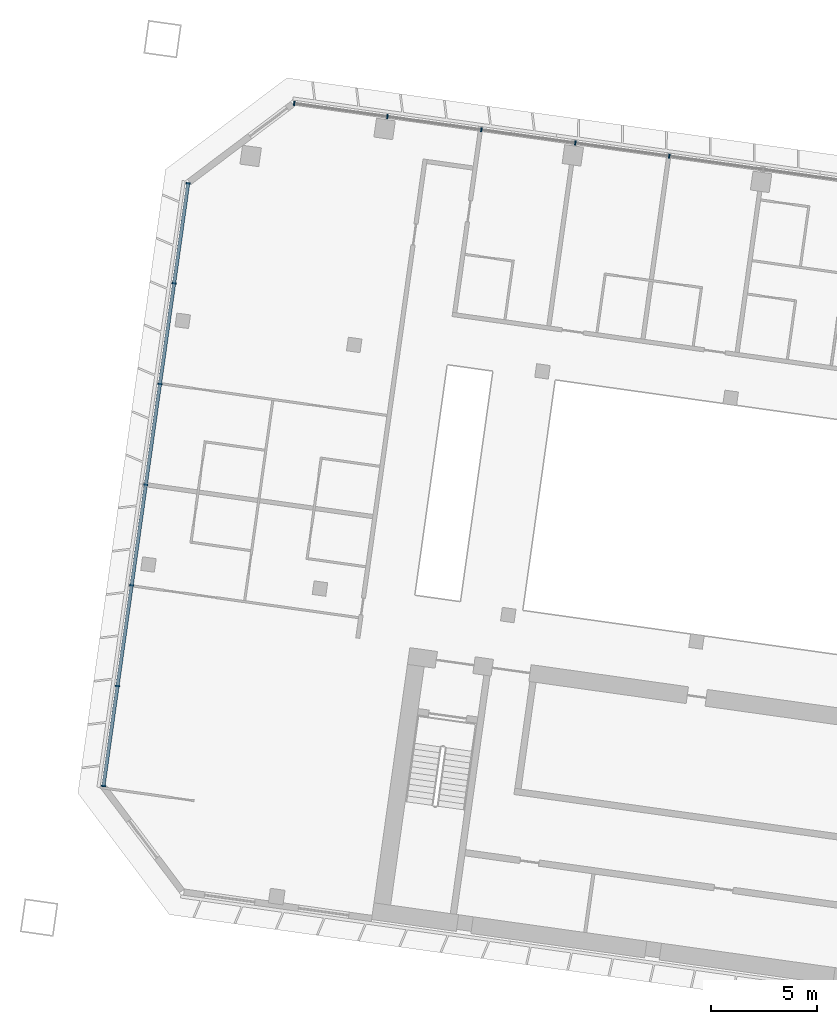
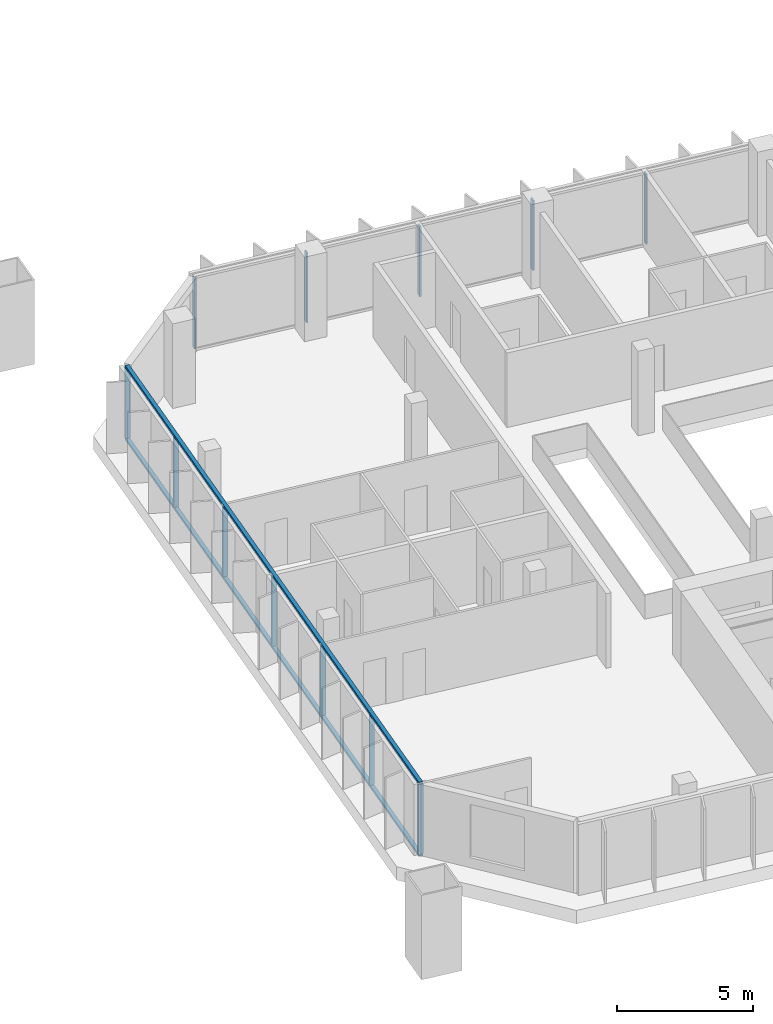
# One storey, part 2 of 25: 14 members, 2 elements without a shape of their own.
"""IFC4 building model written with IfcOpenShell, lengths in metres."""

from ifc_helpers import new_model, si_unit, direction, frame, origin, origin_2d, place, context, subcontext, project, spatial, rectangle, extrude, material, material_profile, profile_set, type_object, element, aggregate, save


model = new_model("IFC4")

# Units and contexts
model_context = context("Model", 3, precision=1e-05, world=origin(), true_north=direction((0.0, 1.0)))
body_context = subcontext(model_context, "Body", "Model", "MODEL_VIEW")
ifc_project = project(units=[si_unit("LENGTHUNIT", "METRE"), si_unit("AREAUNIT", "SQUARE_METRE"), si_unit("VOLUMEUNIT", "CUBIC_METRE"), si_unit("PLANEANGLEUNIT", "RADIAN"), si_unit("MASSUNIT", "GRAM", prefix="KILO")], contexts=[model_context])

# Site, building, storey
site_placement = place(None, origin())
site = spatial("IfcSite", under=ifc_project, at=site_placement, CompositionType="ELEMENT")
building_placement = place(site_placement, origin())
building = spatial("IfcBuilding", under=site, at=building_placement, Name="Mirante Cascada Hotel Towers", CompositionType="ELEMENT")
storey_placement = place(building_placement, frame((0.0, 0.0, 102.5)))
storey = spatial("IfcBuildingStorey", under=building, at=storey_placement, Name="L22", CompositionType="ELEMENT", Elevation=102.5)

# Curtain wall, members
ifc_material_1 = material(Name="Aluminium mullion and transom frame with clear laminated glass", Category="aluminium")
curtain_wall_type_1 = type_object("IfcCurtainWallType", Name="Ribbon curtain wall ECW1", PredefinedType="NOTDEFINED", material=ifc_material_1)
curtain_wall_1_placement = place(storey_placement, origin())
curtain_wall_1 = element("IfcCurtainWall", 1, at=curtain_wall_1_placement, inside=storey, type_object=curtain_wall_type_1, Name="Front ribbon wall T1 L22", PredefinedType="NOTDEFINED")
ifc_material_2 = material(Name="Anodised aluminium extrusion", Category="aluminium")
ifc_material_profile_1 = material_profile(ifc_material_2, rectangle(XDim=0.2, YDim=0.065, at=origin_2d()), Name="ECW1 MULLION 65x200")
ifc_profile_set_1 = profile_set([ifc_material_profile_1], Name="Anodised aluminium extrusion")
member_type_1 = type_object("IfcMemberType", Name="ECW1 mullion 65x200", PredefinedType="MULLION", material=ifc_profile_set_1)
member_1_placement = place(storey_placement, frame((-94.126, 26.0476, 0.1), z_axis=(0.0, 0.0, 1.0), x_axis=(0.1391731, 0.9902681, 0.0)))
member_1 = element("IfcMember", 2, at=member_1_placement, type_object=member_type_1, Name="ECW1 mullion 1", PredefinedType="MULLION", context=body_context, shape_type="SweptSolid", body=[
    extrude(rectangle(XDim=0.2, YDim=0.065, at=origin_2d()), origin(), (0.0, 0.0, 1.0), 3.15),
])
member_2_placement = place(storey_placement, frame((-89.7107, 25.427, 0.1), z_axis=(0.0, 0.0, 1.0), x_axis=(0.1391731, 0.9902681, 0.0)))
member_2 = element("IfcMember", 3, at=member_2_placement, type_object=member_type_1, Name="ECW1 mullion 2", PredefinedType="MULLION", context=body_context, shape_type="SweptSolid", body=[
    extrude(rectangle(XDim=0.2, YDim=0.065, at=origin_2d()), origin(), (0.0, 0.0, 1.0), 3.15),
])
member_3_placement = place(storey_placement, frame((-85.2633, 24.802, 0.1), z_axis=(0.0, 0.0, 1.0), x_axis=(0.1391731, 0.9902681, 0.0)))
member_3 = element("IfcMember", 4, at=member_3_placement, type_object=member_type_1, Name="ECW1 mullion 3", PredefinedType="MULLION", context=body_context, shape_type="SweptSolid", body=[
    extrude(rectangle(XDim=0.2, YDim=0.065, at=origin_2d()), origin(), (0.0, 0.0, 1.0), 3.15),
])
member_4_placement = place(storey_placement, frame((-80.8159, 24.177, 0.1), z_axis=(0.0, 0.0, 1.0), x_axis=(0.1391731, 0.9902681, 0.0)))
member_4 = element("IfcMember", 5, at=member_4_placement, type_object=member_type_1, Name="ECW1 mullion 4", PredefinedType="MULLION", context=body_context, shape_type="SweptSolid", body=[
    extrude(rectangle(XDim=0.2, YDim=0.065, at=origin_2d()), origin(), (0.0, 0.0, 1.0), 3.15),
])
member_5_placement = place(storey_placement, frame((-76.3685, 23.5519, 0.1), z_axis=(0.0, 0.0, 1.0), x_axis=(0.1391731, 0.9902681, 0.0)))
member_5 = element("IfcMember", 6, at=member_5_placement, type_object=member_type_1, Name="ECW1 mullion 5", PredefinedType="MULLION", context=body_context, shape_type="SweptSolid", body=[
    extrude(rectangle(XDim=0.2, YDim=0.065, at=origin_2d()), origin(), (0.0, 0.0, 1.0), 3.15),
])
aggregate(curtain_wall_1, [member_1, member_2, member_3, member_4, member_5])

ifc_material_3 = material(Name="Aluminium mullion and transom frame with clear laminated glass", Category="aluminium")
curtain_wall_type_2 = type_object("IfcCurtainWallType", Name="End ribbon curtain wall ECW2", PredefinedType="NOTDEFINED", material=ifc_material_3)
curtain_wall_2_placement = place(storey_placement, origin())
curtain_wall_2 = element("IfcCurtainWall", 7, at=curtain_wall_2_placement, inside=storey, type_object=curtain_wall_type_2, Name="Outer end wall T1 L22", PredefinedType="NOTDEFINED")
ifc_material_4 = material(Name="Anodised aluminium extrusion", Category="aluminium")
ifc_material_profile_2 = material_profile(ifc_material_4, rectangle(XDim=0.2, YDim=0.065, at=origin_2d()), Name="ECW2 MULLION 65x200")
ifc_profile_set_2 = profile_set([ifc_material_profile_2], Name="Anodised aluminium extrusion")
member_type_2 = type_object("IfcMemberType", Name="ECW2 mullion 65x200", PredefinedType="MULLION", material=ifc_profile_set_2)
member_6_placement = place(storey_placement, frame((-103.1556, -6.2656, 0.1), z_axis=(0.0, 0.0, 1.0), x_axis=(-0.9902681, 0.1391731, 0.0)))
member_6 = element("IfcMember", 8, at=member_6_placement, type_object=member_type_2, Name="ECW2 mullion 1", PredefinedType="MULLION", context=body_context, shape_type="SweptSolid", body=[
    extrude(rectangle(XDim=0.2, YDim=0.065, at=origin_2d()), origin(), (0.0, 0.0, 1.0), 3.15),
])
member_7_placement = place(storey_placement, frame((-102.4903, -1.532, 0.1), z_axis=(0.0, 0.0, 1.0), x_axis=(-0.9902681, 0.1391731, 0.0)))
member_7 = element("IfcMember", 9, at=member_7_placement, type_object=member_type_2, Name="ECW2 mullion 2", PredefinedType="MULLION", context=body_context, shape_type="SweptSolid", body=[
    extrude(rectangle(XDim=0.2, YDim=0.065, at=origin_2d()), origin(), (0.0, 0.0, 1.0), 3.15),
])
member_8_placement = place(storey_placement, frame((-101.8205, 3.2338, 0.1), z_axis=(0.0, 0.0, 1.0), x_axis=(-0.9902681, 0.1391731, 0.0)))
member_8 = element("IfcMember", 10, at=member_8_placement, type_object=member_type_2, Name="ECW2 mullion 3", PredefinedType="MULLION", context=body_context, shape_type="SweptSolid", body=[
    extrude(rectangle(XDim=0.2, YDim=0.065, at=origin_2d()), origin(), (0.0, 0.0, 1.0), 3.15),
])
member_9_placement = place(storey_placement, frame((-101.1508, 7.9996, 0.1), z_axis=(0.0, 0.0, 1.0), x_axis=(-0.9902681, 0.1391731, 0.0)))
member_9 = element("IfcMember", 11, at=member_9_placement, type_object=member_type_2, Name="ECW2 mullion 4", PredefinedType="MULLION", context=body_context, shape_type="SweptSolid", body=[
    extrude(rectangle(XDim=0.2, YDim=0.065, at=origin_2d()), origin(), (0.0, 0.0, 1.0), 3.15),
])
member_10_placement = place(storey_placement, frame((-100.481, 12.7654, 0.1), z_axis=(0.0, 0.0, 1.0), x_axis=(-0.9902681, 0.1391731, 0.0)))
member_10 = element("IfcMember", 12, at=member_10_placement, type_object=member_type_2, Name="ECW2 mullion 5", PredefinedType="MULLION", context=body_context, shape_type="SweptSolid", body=[
    extrude(rectangle(XDim=0.2, YDim=0.065, at=origin_2d()), origin(), (0.0, 0.0, 1.0), 3.15),
])
member_11_placement = place(storey_placement, frame((-99.8112, 17.5312, 0.1), z_axis=(0.0, 0.0, 1.0), x_axis=(-0.9902681, 0.1391731, 0.0)))
member_11 = element("IfcMember", 13, at=member_11_placement, type_object=member_type_2, Name="ECW2 mullion 6", PredefinedType="MULLION", context=body_context, shape_type="SweptSolid", body=[
    extrude(rectangle(XDim=0.2, YDim=0.065, at=origin_2d()), origin(), (0.0, 0.0, 1.0), 3.15),
])
member_12_placement = place(storey_placement, frame((-99.1459, 22.2648, 0.1), z_axis=(0.0, 0.0, 1.0), x_axis=(-0.9902681, 0.1391731, 0.0)))
member_12 = element("IfcMember", 14, at=member_12_placement, type_object=member_type_2, Name="ECW2 mullion 7", PredefinedType="MULLION", context=body_context, shape_type="SweptSolid", body=[
    extrude(rectangle(XDim=0.2, YDim=0.065, at=origin_2d()), origin(), (0.0, 0.0, 1.0), 3.15),
])
ifc_material_5 = material(Name="Anodised aluminium extrusion", Category="aluminium")
ifc_material_profile_3 = material_profile(ifc_material_5, rectangle(XDim=0.16, YDim=0.1, at=origin_2d()), Name="ECW2 TRANSOM 100x160")
ifc_profile_set_3 = profile_set([ifc_material_profile_3], Name="Anodised aluminium extrusion")
member_type_3 = type_object("IfcMemberType", Name="ECW2 transom 100x160", PredefinedType="USERDEFINED", material=ifc_profile_set_3)
member_13_placement = place(storey_placement, frame((-103.1601, -6.2978, 0.05), z_axis=(0.1391723, 0.9902682, 0.0), x_axis=(-0.9902682, 0.1391723, 0.0)))
member_13 = element("IfcMember", 15, at=member_13_placement, type_object=member_type_3, Name="ECW2 sill transom", ObjectType="TRANSOM", PredefinedType="USERDEFINED", context=body_context, shape_type="SweptSolid", body=[
    extrude(rectangle(XDim=0.16, YDim=0.1, at=origin_2d()), origin(), (0.0, 0.0, 1.0), 28.8757),
])
member_14_placement = place(storey_placement, frame((-103.1601, -6.2978, 3.3), z_axis=(0.1391723, 0.9902682, 0.0), x_axis=(-0.9902682, 0.1391723, 0.0)))
member_14 = element("IfcMember", 16, at=member_14_placement, type_object=member_type_3, Name="ECW2 head transom", ObjectType="TRANSOM", PredefinedType="USERDEFINED", context=body_context, shape_type="SweptSolid", body=[
    extrude(rectangle(XDim=0.16, YDim=0.1, at=origin_2d()), origin(), (0.0, 0.0, 1.0), 28.8757),
])
aggregate(curtain_wall_2, [member_13, member_14, member_6, member_7, member_8, member_9, member_10, member_11, member_12])

save(model, "model.ifc")
